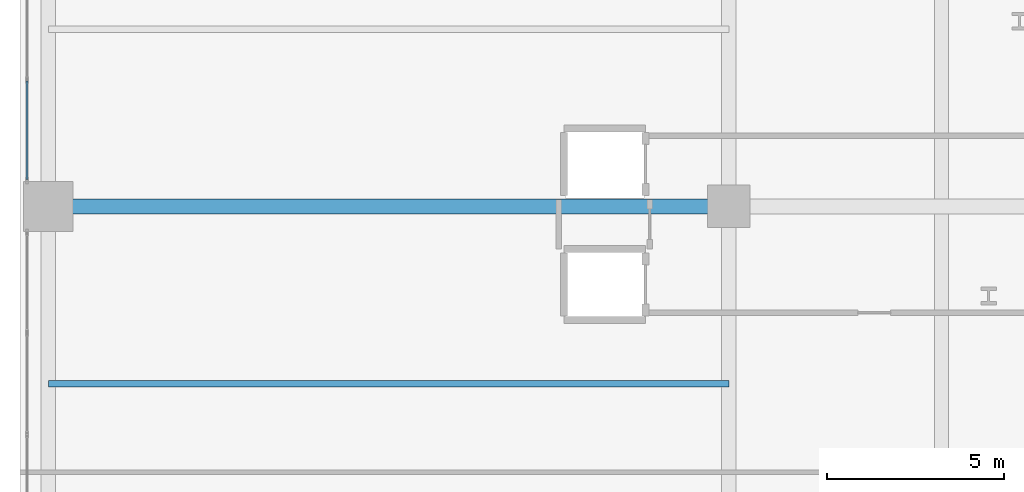
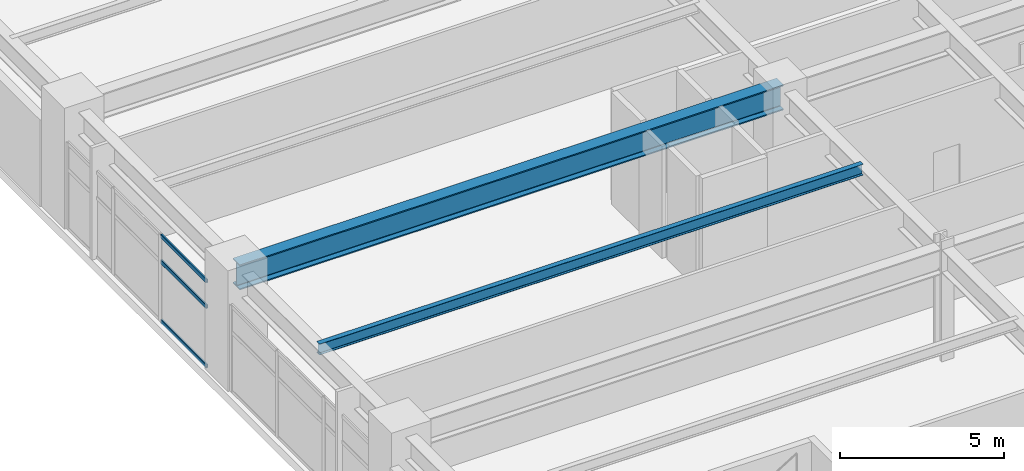
# One storey, part 8 of 28: 3 members, 2 beams, 1 element without a shape of its own.
"""IFC4 building model written with IfcOpenShell, lengths in metres."""

from ifc_helpers import new_model, si_unit, direction, frame, origin, origin_2d, place, context, subcontext, project, spatial, hollow_rectangle, i_section, extrude, material, layer, layer_set, material_profile, profile_set, type_object, element, aggregate, save


model = new_model("IFC4")

# Units and contexts
model_context = context("Model", 3, precision=1e-05, world=origin(), true_north=direction((0.0, 1.0)))
body_context = subcontext(model_context, "Body", "Model", "MODEL_VIEW")
ifc_project = project(units=[si_unit("LENGTHUNIT", "METRE"), si_unit("AREAUNIT", "SQUARE_METRE"), si_unit("VOLUMEUNIT", "CUBIC_METRE"), si_unit("PLANEANGLEUNIT", "RADIAN"), si_unit("MASSUNIT", "GRAM", prefix="KILO")], contexts=[model_context])

# Site, building, storey
site_placement = place(None, origin())
site = spatial("IfcSite", under=ifc_project, at=site_placement, CompositionType="ELEMENT")
building_placement = place(site_placement, origin())
building = spatial("IfcBuilding", under=site, at=building_placement, Name="Soratama Intermodal Tower", CompositionType="ELEMENT")
storey_placement = place(building_placement, frame((0.0, 0.0, 20.699951171875)))
storey = spatial("IfcBuildingStorey", under=building, at=storey_placement, Name="L04", CompositionType="ELEMENT", Elevation=20.699951171875)

# Beams
ifc_material_1 = material(Name="Structural steel ASTM A992 Grade 50", Category="steel")
ifc_material_profile_1 = material_profile(ifc_material_1, i_section(OverallWidth=0.177978515625, OverallDepth=0.406982421875, WebThickness=0.0078125, FlangeThickness=0.0126953125, FilletRadius=0.010009765625, at=origin_2d()), Name="W16X40")
ifc_profile_set_1 = profile_set([ifc_material_profile_1], Name="Structural steel ASTM A992 Grade 50")
beam_type_1 = type_object("IfcBeamType", Name="BM-JST-W16X40", PredefinedType="JOIST", material=ifc_profile_set_1)
beam_1_placement = place(storey_placement, frame((0.800048828125, 20.0, 3.9765625), z_axis=(1.0, 0.0, 0.0), x_axis=(0.0, 1.0, 0.0)))
element("IfcBeam", 1, at=beam_1_placement, inside=storey, type_object=beam_type_1, Name="JST-L04-W2", PredefinedType="JOIST", context=body_context, shape_type="SweptSolid", body=[
    extrude(i_section(OverallWidth=0.177978515625, OverallDepth=0.406982421875, WebThickness=0.0078125, FlangeThickness=0.0126953125, FilletRadius=0.010009765625, at=origin_2d()), origin(), (0.0, 0.0, 1.0), 19.199951171875),
])
ifc_material_2 = material(Name="Structural steel ASTM A992 Grade 50", Category="steel")
ifc_material_profile_2 = material_profile(ifc_material_2, i_section(OverallWidth=0.423095703125, OverallDepth=0.93896484375, WebThickness=0.02392578125, FlangeThickness=0.042724609375, FilletRadius=0.02392578125, at=origin_2d()), Name="W36X302")
ifc_profile_set_2 = profile_set([ifc_material_profile_2], Name="Structural steel ASTM A992 Grade 50")
beam_type_2 = type_object("IfcBeamType", Name="BM-POD-W36X302", PredefinedType="BEAM", material=ifc_profile_set_2)
beam_2_placement = place(storey_placement, frame((0.800048828125, 25.0, 3.71044921875), z_axis=(1.0, 0.0, 0.0), x_axis=(0.0, 1.0, 0.0)))
element("IfcBeam", 2, at=beam_2_placement, inside=storey, type_object=beam_type_2, Name="L04 Station Girder X3-4", PredefinedType="BEAM", context=body_context, shape_type="SweptSolid", body=[
    extrude(i_section(OverallWidth=0.423095703125, OverallDepth=0.93896484375, WebThickness=0.02392578125, FlangeThickness=0.042724609375, FilletRadius=0.02392578125, at=origin_2d()), origin(), (0.0, 0.0, 1.0), 19.199951171875),
])

# Curtain wall, members
ifc_material_3 = material(Name="Double-glazed aluminium curtain wall", Category="aluminium")
ifc_layer = layer(ifc_material_3, 0.159912109375)
ifc_layer_set = layer_set([ifc_layer], Name="Double-glazed aluminium curtain wall")
curtain_wall_type = type_object("IfcCurtainWallType", Name="CW-SYS-1", PredefinedType="NOTDEFINED", material=ifc_layer_set)
curtain_wall_placement = place(storey_placement, origin())
curtain_wall = element("IfcCurtainWall", 3, at=curtain_wall_placement, inside=storey, type_object=curtain_wall_type, Name="L04 Station Curtain Wall W2", PredefinedType="NOTDEFINED")
ifc_material_4 = material(Name="Anodised aluminium AA 6063-T6", Category="aluminium")
ifc_material_profile_3 = material_profile(ifc_material_4, hollow_rectangle(XDim=0.06494140625, YDim=0.14990234375, WallThickness=0.0048828125, InnerFilletRadius=0.0048828125, OuterFilletRadius=0.010009765625, at=origin_2d()), Name="CWT150X65X5")
ifc_profile_set_3 = profile_set([ifc_material_profile_3], Name="Anodised aluminium AA 6063-T6")
member_type = type_object("IfcMemberType", Name="TT-CWT-1", PredefinedType="USERDEFINED", material=ifc_profile_set_3)
member_1_placement = place(storey_placement, frame((0.199951171875, 25.760009765625, 0.030029296875), z_axis=(0.0, 1.0, 0.0), x_axis=(-1.0, 0.0, 0.0)))
member_1 = element("IfcMember", 4, at=member_1_placement, type_object=member_type, Name="CW-1 transom 1.1", ObjectType="TRANSOM", PredefinedType="USERDEFINED", context=body_context, shape_type="SweptSolid", body=[
    extrude(hollow_rectangle(XDim=0.06494140625, YDim=0.14990234375, WallThickness=0.0048828125, InnerFilletRadius=0.0048828125, OuterFilletRadius=0.010009765625, at=origin_2d()), origin(), (0.0, 0.0, 1.0), 2.776611328125),
])
member_2_placement = place(storey_placement, frame((0.199951171875, 25.760009765625, 2.25), z_axis=(0.0, 1.0, 0.0), x_axis=(-1.0, 0.0, 0.0)))
member_2 = element("IfcMember", 5, at=member_2_placement, type_object=member_type, Name="CW-1 transom 1.2", ObjectType="TRANSOM", PredefinedType="USERDEFINED", context=body_context, shape_type="SweptSolid", body=[
    extrude(hollow_rectangle(XDim=0.06494140625, YDim=0.14990234375, WallThickness=0.0048828125, InnerFilletRadius=0.0048828125, OuterFilletRadius=0.010009765625, at=origin_2d()), origin(), (0.0, 0.0, 1.0), 2.776611328125),
])
member_3_placement = place(storey_placement, frame((0.199951171875, 25.760009765625, 3.2060546875), z_axis=(0.0, 1.0, 0.0), x_axis=(-1.0, 0.0, 0.0)))
member_3 = element("IfcMember", 6, at=member_3_placement, type_object=member_type, Name="CW-1 transom 1.3", ObjectType="TRANSOM", PredefinedType="USERDEFINED", context=body_context, shape_type="SweptSolid", body=[
    extrude(hollow_rectangle(XDim=0.06494140625, YDim=0.14990234375, WallThickness=0.0048828125, InnerFilletRadius=0.0048828125, OuterFilletRadius=0.010009765625, at=origin_2d()), origin(), (0.0, 0.0, 1.0), 2.776611328125),
])
aggregate(curtain_wall, [member_1, member_2, member_3])

save(model, "model.ifc")
